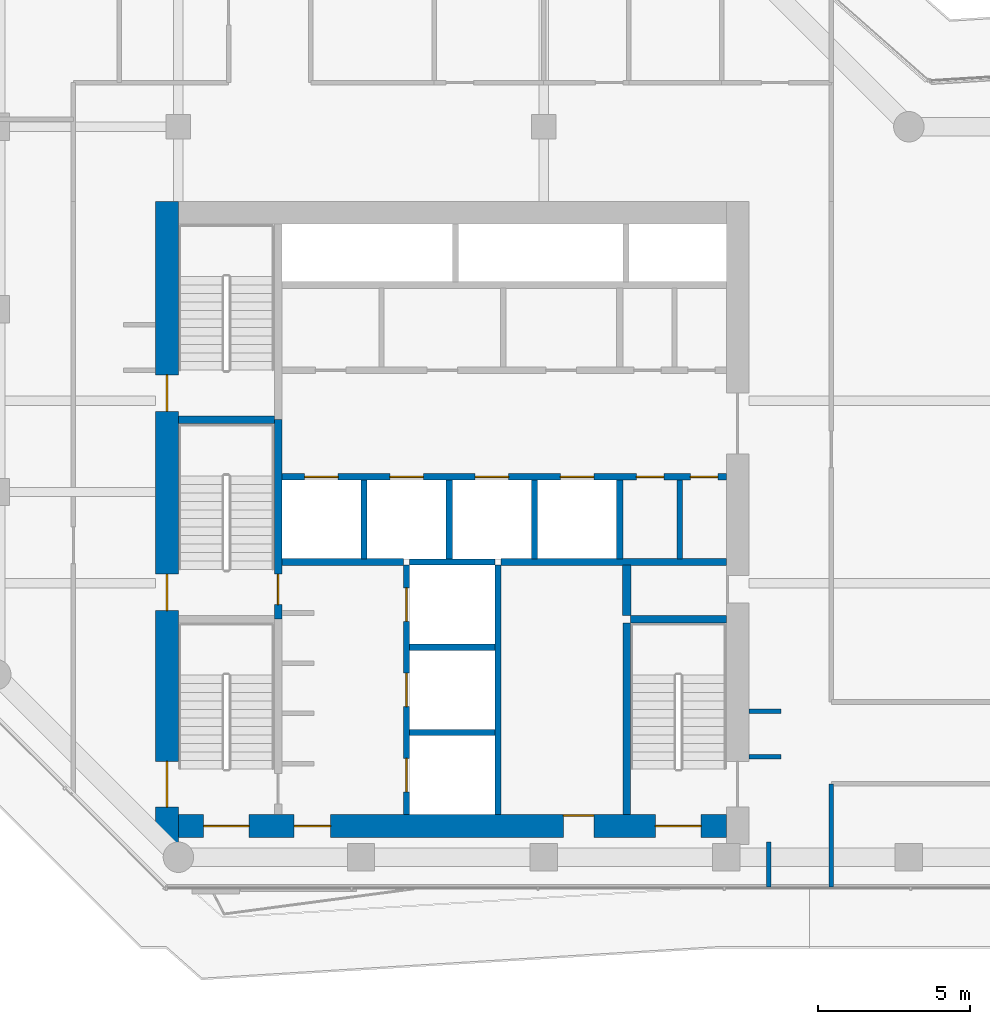
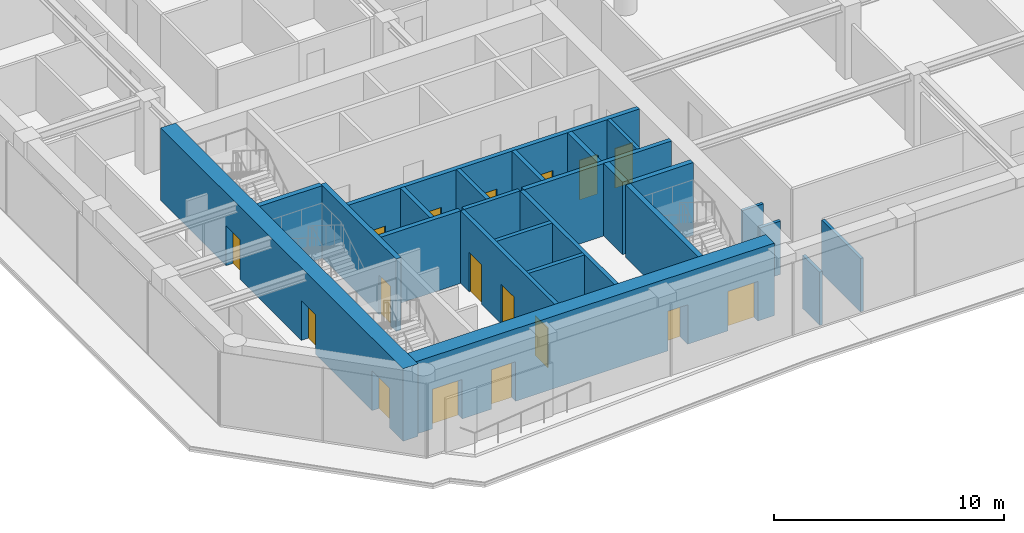
# One storey, part 18 of 23: 24 walls, 17 doors, 17 openings.
"""IFC4 building model written with IfcOpenShell, lengths in metres."""

import ifcopenshell
import ifcopenshell.guid

model = None  # the IFC model being written
_history = None  # IfcOwnerHistory: only IFC2X3 demands one
_inside = {}  # id of a spatial element -> (the spatial element, [elements in it])
_under = {}  # id of a project, library or spatial element -> (it, [spatial elements below it])
_declared = {}  # id of a project -> (the project, [libraries it declares])
_typed = {}  # id of a type object -> (the type object, [elements of that type])
_made_of = {}  # id of a material, layer set ... -> (it, [elements and type objects made of it])


def new_model(schema):
    """Start an empty IFC model of exactly this schema.

    Asked for "IFC4X3", IfcOpenShell would pick the latest addendum, in which some entities
    have other attributes; the version numbers below select the first issue.
    IFC2X3 requires an IfcOwnerHistory on every rooted entity: one is made here for all.
    """
    global model, _history
    if schema == "IFC4X3":
        model = ifcopenshell.file(schema_version=(4, 3, 0, 0))
    else:
        model = ifcopenshell.file(schema=schema)
    _inside.clear()
    _under.clear()
    _declared.clear()
    _typed.clear()
    _made_of.clear()
    _history = None
    if model.schema == "IFC2X3":
        org = make("IfcOrganization", Name="unknown")
        user = make(
            "IfcPersonAndOrganization",
            ThePerson=make("IfcPerson", FamilyName="unknown"),
            TheOrganization=org,
        )
        app = make(
            "IfcApplication",
            ApplicationDeveloper=org,
            Version="unknown",
            ApplicationFullName="unknown",
            ApplicationIdentifier="unknown",
        )
        _history = make(
            "IfcOwnerHistory",
            OwningUser=user,
            OwningApplication=app,
            ChangeAction="ADDED",
            CreationDate=0,
        )
    return model


def make(cls, **values):
    """One entity of the class cls with the attributes given. An attribute that is None is left unset."""
    return model.create_entity(
        cls, **{name: value for name, value in values.items() if value is not None}
    )


def rooted(cls, **values):
    """An entity with a GlobalId (a new one), such as an element, a storey or a relation."""
    return make(cls, GlobalId=ifcopenshell.guid.new(), OwnerHistory=_history, **values)


def si_unit(unit_type, name, prefix=None):
    """IfcSIUnit, for example si_unit("LENGTHUNIT", "METRE", prefix="MILLI")."""
    return make("IfcSIUnit", UnitType=unit_type, Prefix=prefix, Name=name)


def assignment(units):
    """IfcUnitAssignment: the units of a project."""
    return None if units is None else make("IfcUnitAssignment", Units=units)


def point(xyz):
    """IfcCartesianPoint."""
    return None if xyz is None else make("IfcCartesianPoint", Coordinates=xyz)


def direction(xyz):
    """IfcDirection."""
    return None if xyz is None else make("IfcDirection", DirectionRatios=xyz)


def frame(location, z_axis=None, x_axis=None):
    """IfcAxis2Placement3D, a coordinate frame: its origin and axes. An axis left out is left unset."""
    return make(
        "IfcAxis2Placement3D",
        Location=point(location),
        Axis=direction(z_axis),
        RefDirection=direction(x_axis),
    )


def frame_2d(location, x_axis=None):
    """IfcAxis2Placement2D, a coordinate frame in the plane: its origin and x axis."""
    return make(
        "IfcAxis2Placement2D", Location=point(location), RefDirection=direction(x_axis)
    )


def origin():
    """The frame at (0, 0, 0) with its axes left unset."""
    return frame((0.0, 0.0, 0.0))


def place(relative_to, where):
    """IfcLocalPlacement: puts the frame where relative to a parent placement (None: the world)."""
    return make(
        "IfcLocalPlacement", PlacementRelTo=relative_to, RelativePlacement=where
    )


def context(
    kind, dimensions, precision=None, world=None, true_north=None, identifier=None
):
    """IfcGeometricRepresentationContext, for example the 3D "Model" context."""
    return make(
        "IfcGeometricRepresentationContext",
        ContextIdentifier=identifier,
        ContextType=kind,
        CoordinateSpaceDimension=dimensions,
        Precision=precision,
        WorldCoordinateSystem=world,
        TrueNorth=true_north,
    )


def subcontext(parent, identifier, kind, view, scale=None):
    """IfcGeometricRepresentationSubContext, for example "Body" below "Model"."""
    return make(
        "IfcGeometricRepresentationSubContext",
        ContextIdentifier=identifier,
        ContextType=kind,
        ParentContext=parent,
        TargetScale=scale,
        TargetView=view,
    )


def project(units=None, contexts=None):
    """IfcProject with its units and contexts."""
    return rooted(
        "IfcProject",
        Name="project",
        RepresentationContexts=contexts,
        UnitsInContext=assignment(units),
    )


def spatial(cls, under=None, at=None, **own):
    """A site, building, storey or space (cls), placed at a placement, below another one or the project."""
    s = rooted(cls, ObjectPlacement=at, **own)
    if under is not None:
        _under.setdefault(under.id(), (under, []))[1].append(s)
    return s


def profile(cls, at=None, kind="AREA", **sizes):
    """A parametric profile (cls). Its sizes go by their IFC names, for example OverallWidth=200.0."""
    return make(cls, ProfileType=kind, Position=at, **sizes)


def rectangle(**sizes):
    """IfcRectangleProfileDef."""
    return profile("IfcRectangleProfileDef", **sizes)


def extrude(swept, where, along, depth):
    """IfcExtrudedAreaSolid: the profile swept, set in the frame where, extruded along a direction by depth."""
    return make(
        "IfcExtrudedAreaSolid",
        SweptArea=swept,
        Position=where,
        ExtrudedDirection=direction(along),
        Depth=depth,
    )


def shape(context_of_items, identifier, shape_type, items):
    """IfcShapeRepresentation: the items that make up one representation, for example the "Body"."""
    return make(
        "IfcShapeRepresentation",
        ContextOfItems=context_of_items,
        RepresentationIdentifier=identifier,
        RepresentationType=shape_type,
        Items=items,
    )


def material(Name=None, Category=None):
    """IfcMaterial."""
    return make("IfcMaterial", Name=Name, Category=Category)


def layer(
    of_material, thickness, ventilated=None, Name=None, Category=None, Priority=None
):
    """IfcMaterialLayer: one layer of a wall or slab, of a material (None: an air gap)."""
    return make(
        "IfcMaterialLayer",
        Material=of_material,
        LayerThickness=thickness,
        IsVentilated=ventilated,
        Name=Name,
        Category=Category,
        Priority=Priority,
    )


def layer_set(layers, Name=None):
    """IfcMaterialLayerSet."""
    return make("IfcMaterialLayerSet", MaterialLayers=layers, LayerSetName=Name)


def made_of(thing, what):
    """Note that an element or type object is made of a material, layer set ...; save() writes the relation."""
    if what is not None:
        _made_of.setdefault(what.id(), (what, []))[1].append(thing)
    return thing


def type_object(cls, material=None, **own):
    """A type object (cls), such as IfcWallType, which elements share."""
    return made_of(rooted(cls, **own), material)


def element(
    cls,
    number,
    at=None,
    inside=None,
    cuts=None,
    type_object=None,
    material=None,
    context=None,
    identifier="Body",
    shape_type=None,
    held_by="IfcProductDefinitionShape",
    body=None,
    shapes=None,
    **own,
):
    """One element of the class cls, such as IfcWall. Its Tag is "e" and its number.

    at: its placement. inside: the storey or other place that contains it. cuts: it is an
    opening in that element (IfcRelVoidsElement). A single representation is given by context,
    identifier, shape_type and body (its items); several are given by shapes. held_by: the class
    of the entity that holds the representations. save() writes the other relations.
    """
    e = rooted(cls, Tag="e%d" % number, ObjectPlacement=at, **own)
    if body is not None:
        shapes = [shape(context, identifier, shape_type, body)]
    if shapes is not None:
        e.Representation = make(held_by, Representations=shapes)
    if inside is not None:
        _inside.setdefault(inside.id(), (inside, []))[1].append(e)
    if cuts is not None:
        rooted(
            "IfcRelVoidsElement", RelatingBuildingElement=cuts, RelatedOpeningElement=e
        )
    if type_object is not None:
        _typed.setdefault(type_object.id(), (type_object, []))[1].append(e)
    return made_of(e, material)


def fill(opening, filler):
    """IfcRelFillsElement: the door or window that sits in an opening."""
    return rooted(
        "IfcRelFillsElement",
        RelatingOpeningElement=opening,
        RelatedBuildingElement=filler,
    )


def aggregate(whole, parts):
    """IfcRelAggregates: a whole, such as a stair, and the parts it consists of."""
    return rooted("IfcRelAggregates", RelatingObject=whole, RelatedObjects=parts)


def save(model, path):
    """Write the relations noted so far, then the file.

    IfcRelAggregates (storeys below a building ...), IfcRelContainedInSpatialStructure (elements
    in a storey), IfcRelDefinesByType, IfcRelAssociatesMaterial and IfcRelDeclares: one each for
    every whole, place, type object, material and project.
    """
    for whole, parts in _under.values():
        aggregate(whole, parts)
    for where, things in _inside.values():
        rooted(
            "IfcRelContainedInSpatialStructure",
            RelatedElements=things,
            RelatingStructure=where,
        )
    for kind, things in _typed.values():
        rooted("IfcRelDefinesByType", RelatedObjects=things, RelatingType=kind)
    for what, things in _made_of.values():
        rooted("IfcRelAssociatesMaterial", RelatedObjects=things, RelatingMaterial=what)
    for by, libraries in _declared.values():
        rooted("IfcRelDeclares", RelatingContext=by, RelatedDefinitions=libraries)
    model.write(path)


model = new_model("IFC4")

# Units and contexts
model_context = context("Model", 3, precision=1e-05, world=origin(), true_north=direction((0.0, 1.0)))
body_context = subcontext(model_context, "Body", "Model", "MODEL_VIEW")
ifc_project = project(units=[si_unit("LENGTHUNIT", "METRE"), si_unit("AREAUNIT", "SQUARE_METRE"), si_unit("VOLUMEUNIT", "CUBIC_METRE"), si_unit("PLANEANGLEUNIT", "RADIAN"), si_unit("MASSUNIT", "GRAM", prefix="KILO")], contexts=[model_context])

# Site, building, storey
site_placement = place(None, origin())
site = spatial("IfcSite", under=ifc_project, at=site_placement, CompositionType="ELEMENT")
building_placement = place(site_placement, origin())
building = spatial("IfcBuilding", under=site, at=building_placement, Name="Welwitschia Terrace Campus", CompositionType="ELEMENT")
storey_placement = place(building_placement, frame((0.0, 0.0, 96.199951171875)))
storey = spatial("IfcBuildingStorey", under=building, at=storey_placement, Name="L21", CompositionType="ELEMENT", Elevation=96.199951171875)

# Walls
ifc_material_1 = material(Name="Concrete C32/40", Category="concrete")
ifc_layer_1 = layer(ifc_material_1, 0.175048828125)
ifc_layer_set_1 = layer_set([ifc_layer_1], Name="Concrete C32/40")
wall_type_1 = type_object("IfcWallType", Name="Core partition 175 Concrete C32/40", PredefinedType="PARTITIONING", material=ifc_layer_set_1)
wall_1_placement = place(storey_placement, frame((22.469970703125, 13.800048828125, 0.0), z_axis=(0.0, 0.0, 1.0), x_axis=(0.0, 1.0, 0.0)))
element("IfcWall", 1, at=wall_1_placement, inside=storey, type_object=wall_type_1, Name="Core partition", PredefinedType="PARTITIONING", context=body_context, shape_type="SweptSolid", body=[
    extrude(rectangle(XDim=2.599853515625, YDim=0.175048828125, at=frame_2d((1.2998046875, 0.0))), origin(), (0.0, 0.0, 1.0), 3.85009765625),
])
ifc_material_2 = material(Name="Concrete C32/40", Category="concrete")
ifc_layer_2 = layer(ifc_material_2, 0.22509765625)
ifc_layer_set_2 = layer_set([ifc_layer_2], Name="Concrete C32/40")
wall_type_2 = type_object("IfcWallType", Name="Core partition 225 Concrete C32/40", PredefinedType="PARTITIONING", material=ifc_layer_set_2)
wall_2_placement = place(storey_placement, frame((9.39990234375, 13.699951171875, 0.0), z_axis=(0.0, 0.0, 1.0), x_axis=(1.0, 0.0, 0.0)))
element("IfcWall", 2, at=wall_2_placement, inside=storey, type_object=wall_type_2, Name="Shaft wall", PredefinedType="PARTITIONING", context=body_context, shape_type="SweptSolid", body=[
    extrude(rectangle(XDim=4.0, YDim=0.22509765625, at=frame_2d((2.0, 0.0))), origin(), (0.0, 0.0, 1.0), 3.85009765625),
])
wall_3_placement = place(storey_placement, frame((16.60009765625, 13.699951171875, 0.0), z_axis=(0.0, 0.0, 1.0), x_axis=(1.0, 0.0, 0.0)))
element("IfcWall", 3, at=wall_3_placement, inside=storey, type_object=wall_type_2, Name="Shaft wall", PredefinedType="PARTITIONING", context=body_context, shape_type="SweptSolid", body=[
    extrude(rectangle(XDim=7.39990234375, YDim=0.22509765625, at=frame_2d((3.699951171875, 0.0))), origin(), (0.0, 0.0, 1.0), 3.85009765625),
])

# Wall, openings, doors
wall_4_placement = place(storey_placement, frame((9.39990234375, 16.5, 0.0), z_axis=(0.0, 0.0, 1.0), x_axis=(1.0, 0.0, 0.0)))
wall_4 = element("IfcWall", 4, at=wall_4_placement, inside=storey, type_object=wall_type_2, Name="Shaft wall", PredefinedType="PARTITIONING", context=body_context, shape_type="SweptSolid", body=[
    extrude(rectangle(XDim=14.60009765625, YDim=0.22509765625, at=frame_2d((7.300048828125, 0.0))), origin(), (0.0, 0.0, 1.0), 3.85009765625),
])
opening_1_placement = place(wall_4_placement, frame((0.75, 0.0, 0.0)))
opening_1 = element("IfcOpeningElement", 5, at=opening_1_placement, cuts=wall_4, Name="Opening LD", PredefinedType="OPENING", context=body_context, shape_type="SweptSolid", body=[
    extrude(rectangle(XDim=1.10009765625, YDim=2.10009765625, at=frame_2d((0.550048828125, 1.050048828125))), frame((0.0, 0.12255859375, 0.0), z_axis=(0.0, -1.0, 0.0), x_axis=(1.0, 0.0, 0.0)), (0.0, 0.0, 1.0), 0.2451171875),
])
opening_2_placement = place(wall_4_placement, frame((3.550048828125, 0.0, 0.0)))
opening_2 = element("IfcOpeningElement", 6, at=opening_2_placement, cuts=wall_4, Name="Opening LD", PredefinedType="OPENING", context=body_context, shape_type="SweptSolid", body=[
    extrude(rectangle(XDim=1.10009765625, YDim=2.10009765625, at=frame_2d((0.550048828125, 1.050048828125))), frame((0.0, 0.12255859375, 0.0), z_axis=(0.0, -1.0, 0.0), x_axis=(1.0, 0.0, 0.0)), (0.0, 0.0, 1.0), 0.2451171875),
])
opening_3_placement = place(wall_4_placement, frame((6.35009765625, 0.0, 0.0)))
opening_3 = element("IfcOpeningElement", 7, at=opening_3_placement, cuts=wall_4, Name="Opening LD", PredefinedType="OPENING", context=body_context, shape_type="SweptSolid", body=[
    extrude(rectangle(XDim=1.10009765625, YDim=2.10009765625, at=frame_2d((0.550048828125, 1.050048828125))), frame((0.0, 0.12255859375, 0.0), z_axis=(0.0, -1.0, 0.0), x_axis=(1.0, 0.0, 0.0)), (0.0, 0.0, 1.0), 0.2451171875),
])
opening_4_placement = place(wall_4_placement, frame((9.14990234375, 0.0, 0.0)))
opening_4 = element("IfcOpeningElement", 8, at=opening_4_placement, cuts=wall_4, Name="Opening LD", PredefinedType="OPENING", context=body_context, shape_type="SweptSolid", body=[
    extrude(rectangle(XDim=1.10009765625, YDim=2.10009765625, at=frame_2d((0.550048828125, 1.050048828125))), frame((0.0, 0.12255859375, 0.0), z_axis=(0.0, -1.0, 0.0), x_axis=(1.0, 0.0, 0.0)), (0.0, 0.0, 1.0), 0.2451171875),
])
opening_5_placement = place(wall_4_placement, frame((11.6474609375, 0.0, 0.0)))
opening_5 = element("IfcOpeningElement", 9, at=opening_5_placement, cuts=wall_4, Name="Opening DR09", PredefinedType="OPENING", context=body_context, shape_type="SweptSolid", body=[
    extrude(rectangle(XDim=0.89990234375, YDim=2.10009765625, at=frame_2d((0.449951171875, 1.050048828125))), frame((0.0, 0.12255859375, 0.0), z_axis=(0.0, -1.0, 0.0), x_axis=(1.0, 0.0, 0.0)), (0.0, 0.0, 1.0), 0.2451171875),
])
opening_6_placement = place(wall_4_placement, frame((13.422607421875, 0.0, 0.0)))
opening_6 = element("IfcOpeningElement", 10, at=opening_6_placement, cuts=wall_4, Name="Opening DR09", PredefinedType="OPENING", context=body_context, shape_type="SweptSolid", body=[
    extrude(rectangle(XDim=0.89990234375, YDim=2.10009765625, at=frame_2d((0.449951171875, 1.050048828125))), frame((0.0, 0.12255859375, 0.0), z_axis=(0.0, -1.0, 0.0), x_axis=(1.0, 0.0, 0.0)), (0.0, 0.0, 1.0), 0.2451171875),
])
ifc_material_3 = material(Name="Steel S275", Category="steel")
door_type_1 = type_object("IfcDoorType", Name="Core door DR09", OperationType="SINGLE_SWING_LEFT", PredefinedType="DOOR", material=ifc_material_3)
door_1_placement = place(opening_5_placement, origin())
door_1 = element("IfcDoor", 11, at=door_1_placement, inside=storey, type_object=door_type_1, Name="Door EL1-D", OperationType="SINGLE_SWING_RIGHT", OverallHeight=2.10009765625, OverallWidth=0.89990234375, PredefinedType="DOOR", context=body_context, shape_type="SweptSolid", body=[
    extrude(rectangle(XDim=0.89990234375, YDim=2.10009765625, at=frame_2d((0.449951171875, 1.050048828125))), frame((0.0, 0.02490234375, 0.0), z_axis=(0.0, -1.0, 0.0), x_axis=(1.0, 0.0, 0.0)), (0.0, 0.0, 1.0), 0.050048828125),
])
fill(opening_5, door_1)
door_2_placement = place(opening_6_placement, origin())
door_2 = element("IfcDoor", 12, at=door_2_placement, inside=storey, type_object=door_type_1, Name="Door EL2-D", OperationType="SINGLE_SWING_RIGHT", OverallHeight=2.10009765625, OverallWidth=0.89990234375, PredefinedType="DOOR", context=body_context, shape_type="SweptSolid", body=[
    extrude(rectangle(XDim=0.89990234375, YDim=2.10009765625, at=frame_2d((0.449951171875, 1.050048828125))), frame((0.0, 0.02490234375, 0.0), z_axis=(0.0, -1.0, 0.0), x_axis=(1.0, 0.0, 0.0)), (0.0, 0.0, 1.0), 0.050048828125),
])
fill(opening_6, door_2)
ifc_material_4 = material(Name="Stainless steel 304", Category="steel")
door_type_2 = type_object("IfcDoorType", Name="Lift landing door", OperationType="DOUBLE_DOOR_SLIDING", PredefinedType="DOOR", material=ifc_material_4)
door_3_placement = place(opening_1_placement, origin())
door_3 = element("IfcDoor", 13, at=door_3_placement, inside=storey, type_object=door_type_2, Name="Landing door LR1", OperationType="DOUBLE_DOOR_SLIDING", OverallHeight=2.10009765625, OverallWidth=1.10009765625, PredefinedType="DOOR", context=body_context, shape_type="SweptSolid", body=[
    extrude(rectangle(XDim=1.10009765625, YDim=2.10009765625, at=frame_2d((0.550048828125, 1.050048828125))), frame((0.0, 0.02490234375, 0.0), z_axis=(0.0, -1.0, 0.0), x_axis=(1.0, 0.0, 0.0)), (0.0, 0.0, 1.0), 0.050048828125),
])
fill(opening_1, door_3)
door_4_placement = place(opening_2_placement, origin())
door_4 = element("IfcDoor", 14, at=door_4_placement, inside=storey, type_object=door_type_2, Name="Landing door LR2", OperationType="DOUBLE_DOOR_SLIDING", OverallHeight=2.10009765625, OverallWidth=1.10009765625, PredefinedType="DOOR", context=body_context, shape_type="SweptSolid", body=[
    extrude(rectangle(XDim=1.10009765625, YDim=2.10009765625, at=frame_2d((0.550048828125, 1.050048828125))), frame((0.0, 0.02490234375, 0.0), z_axis=(0.0, -1.0, 0.0), x_axis=(1.0, 0.0, 0.0)), (0.0, 0.0, 1.0), 0.050048828125),
])
fill(opening_2, door_4)
door_5_placement = place(opening_3_placement, origin())
door_5 = element("IfcDoor", 15, at=door_5_placement, inside=storey, type_object=door_type_2, Name="Landing door LR3", OperationType="DOUBLE_DOOR_SLIDING", OverallHeight=2.10009765625, OverallWidth=1.10009765625, PredefinedType="DOOR", context=body_context, shape_type="SweptSolid", body=[
    extrude(rectangle(XDim=1.10009765625, YDim=2.10009765625, at=frame_2d((0.550048828125, 1.050048828125))), frame((0.0, 0.02490234375, 0.0), z_axis=(0.0, -1.0, 0.0), x_axis=(1.0, 0.0, 0.0)), (0.0, 0.0, 1.0), 0.050048828125),
])
fill(opening_3, door_5)
door_6_placement = place(opening_4_placement, origin())
door_6 = element("IfcDoor", 16, at=door_6_placement, inside=storey, type_object=door_type_2, Name="Landing door LR4", OperationType="DOUBLE_DOOR_SLIDING", OverallHeight=2.10009765625, OverallWidth=1.10009765625, PredefinedType="DOOR", context=body_context, shape_type="SweptSolid", body=[
    extrude(rectangle(XDim=1.10009765625, YDim=2.10009765625, at=frame_2d((0.550048828125, 1.050048828125))), frame((0.0, 0.02490234375, 0.0), z_axis=(0.0, -1.0, 0.0), x_axis=(1.0, 0.0, 0.0)), (0.0, 0.0, 1.0), 0.050048828125),
])
fill(opening_4, door_6)

# Walls
wall_5_placement = place(storey_placement, frame((20.5, 13.800048828125, 0.0), z_axis=(0.0, 0.0, 1.0), x_axis=(0.0, 1.0, 0.0)))
element("IfcWall", 17, at=wall_5_placement, inside=storey, type_object=wall_type_2, Name="Shaft wall", PredefinedType="PARTITIONING", context=body_context, shape_type="SweptSolid", body=[
    extrude(rectangle(XDim=2.599853515625, YDim=0.22509765625, at=frame_2d((1.2998046875, 0.0))), origin(), (0.0, 0.0, 1.0), 3.85009765625),
])
ifc_material_5 = material(Name="Concrete C32/40", Category="concrete")
ifc_layer_3 = layer(ifc_material_5, 0.27490234375)
ifc_layer_set_3 = layer_set([ifc_layer_3], Name="Concrete C32/40")
wall_type_3 = type_object("IfcWallType", Name="Core partition 275 Concrete C32/40", PredefinedType="PARTITIONING", material=ifc_layer_set_3)
wall_6_placement = place(storey_placement, frame((20.72509765625, 11.949951171875, 0.0), z_axis=(0.0, 0.0, 1.0), x_axis=(0.0, 1.0, 0.0)))
element("IfcWall", 18, at=wall_6_placement, inside=storey, type_object=wall_type_3, Name="Core partition", PredefinedType="PARTITIONING", context=body_context, shape_type="SweptSolid", body=[
    extrude(rectangle(XDim=1.650146484375, YDim=0.27490234375, at=frame_2d((0.8251953125, 0.0))), origin(), (0.0, 0.0, 1.0), 3.85009765625),
])
ifc_material_6 = material(Name="Concrete C50/60", Category="concrete")
ifc_layer_4 = layer(ifc_material_6, 0.199951171875)
ifc_layer_set_4 = layer_set([ifc_layer_4], Name="Concrete C50/60")
wall_type_4 = type_object("IfcWallType", Name="Core wall 200 Concrete C50/60", PredefinedType="SHEAR", material=ifc_layer_set_4)
for number, where, z_axis, x_axis, name in (
    (19, (13.60009765625, 8.10009765625, 0.0), (0.0, 0.0, 1.0), (1.0, 0.0, 0.0), "Core wall"),
    (20, (13.60009765625, 10.89990234375, 0.0), (0.0, 0.0, 1.0), (1.0, 0.0, 0.0), "Core wall"),
    (21, (13.60009765625, 13.699951171875, 0.0), (0.0, 0.0, 1.0), (1.0, 0.0, 0.0), "Core wall"),
):
    element("IfcWall", number, at=place(storey_placement, frame(where, z_axis=z_axis, x_axis=x_axis)), inside=storey, type_object=wall_type_4, Name=name, PredefinedType="SHEAR", context=body_context, shape_type="SweptSolid", body=[
        extrude(rectangle(XDim=2.7998046875, YDim=0.199951171875, at=frame_2d((1.39990234375, 0.0))), origin(), (0.0, 0.0, 1.0), 3.85009765625),
    ])

# Wall, openings, doors
wall_7_placement = place(storey_placement, frame((13.5, 5.39990234375, 0.0), z_axis=(0.0, 0.0, 1.0), x_axis=(0.0, 1.0, 0.0)))
wall_7 = element("IfcWall", 22, at=wall_7_placement, inside=storey, type_object=wall_type_4, Name="Core wall", PredefinedType="SHEAR", context=body_context, shape_type="SweptSolid", body=[
    extrude(rectangle(XDim=8.2001953125, YDim=0.199951171875, at=frame_2d((4.10009765625, 0.0))), origin(), (0.0, 0.0, 1.0), 3.85009765625),
])
opening_7_placement = place(wall_7_placement, frame((0.75, 0.0, 0.0)))
opening_7 = element("IfcOpeningElement", 23, at=opening_7_placement, cuts=wall_7, Name="Opening LD", PredefinedType="OPENING", context=body_context, shape_type="SweptSolid", body=[
    extrude(rectangle(XDim=1.10009765625, YDim=2.10009765625, at=frame_2d((0.550048828125, 1.050048828125))), frame((0.0, 0.10986328125, 0.0), z_axis=(0.0, -1.0, 0.0), x_axis=(1.0, 0.0, 0.0)), (0.0, 0.0, 1.0), 0.219970703125),
])
opening_8_placement = place(wall_7_placement, frame((3.550048828125, 0.0, 0.0)))
opening_8 = element("IfcOpeningElement", 24, at=opening_8_placement, cuts=wall_7, Name="Opening LD", PredefinedType="OPENING", context=body_context, shape_type="SweptSolid", body=[
    extrude(rectangle(XDim=1.10009765625, YDim=2.10009765625, at=frame_2d((0.550048828125, 1.050048828125))), frame((0.0, 0.10986328125, 0.0), z_axis=(0.0, -1.0, 0.0), x_axis=(1.0, 0.0, 0.0)), (0.0, 0.0, 1.0), 0.219970703125),
])
opening_9_placement = place(wall_7_placement, frame((6.35009765625, 0.0, 0.0)))
opening_9 = element("IfcOpeningElement", 25, at=opening_9_placement, cuts=wall_7, Name="Opening LD", PredefinedType="OPENING", context=body_context, shape_type="SweptSolid", body=[
    extrude(rectangle(XDim=1.10009765625, YDim=2.10009765625, at=frame_2d((0.550048828125, 1.050048828125))), frame((0.0, 0.10986328125, 0.0), z_axis=(0.0, -1.0, 0.0), x_axis=(1.0, 0.0, 0.0)), (0.0, 0.0, 1.0), 0.219970703125),
])
door_7_placement = place(opening_7_placement, origin())
door_7 = element("IfcDoor", 26, at=door_7_placement, inside=storey, type_object=door_type_2, Name="Landing door FF1", OperationType="DOUBLE_DOOR_SLIDING", OverallHeight=2.10009765625, OverallWidth=1.10009765625, PredefinedType="DOOR", context=body_context, shape_type="SweptSolid", body=[
    extrude(rectangle(XDim=1.10009765625, YDim=2.10009765625, at=frame_2d((0.550048828125, 1.050048828125))), frame((0.0, 0.02490234375, 0.0), z_axis=(0.0, -1.0, 0.0), x_axis=(1.0, 0.0, 0.0)), (0.0, 0.0, 1.0), 0.050048828125),
])
fill(opening_7, door_7)
door_8_placement = place(opening_8_placement, origin())
door_8 = element("IfcDoor", 27, at=door_8_placement, inside=storey, type_object=door_type_2, Name="Landing door FF2", OperationType="DOUBLE_DOOR_SLIDING", OverallHeight=2.10009765625, OverallWidth=1.10009765625, PredefinedType="DOOR", context=body_context, shape_type="SweptSolid", body=[
    extrude(rectangle(XDim=1.10009765625, YDim=2.10009765625, at=frame_2d((0.550048828125, 1.050048828125))), frame((0.0, 0.02490234375, 0.0), z_axis=(0.0, -1.0, 0.0), x_axis=(1.0, 0.0, 0.0)), (0.0, 0.0, 1.0), 0.050048828125),
])
fill(opening_8, door_8)
door_9_placement = place(opening_9_placement, origin())
door_9 = element("IfcDoor", 28, at=door_9_placement, inside=storey, type_object=door_type_2, Name="Landing door SV1", OperationType="DOUBLE_DOOR_SLIDING", OverallHeight=2.10009765625, OverallWidth=1.10009765625, PredefinedType="DOOR", context=body_context, shape_type="SweptSolid", body=[
    extrude(rectangle(XDim=1.10009765625, YDim=2.10009765625, at=frame_2d((0.550048828125, 1.050048828125))), frame((0.0, 0.02490234375, 0.0), z_axis=(0.0, -1.0, 0.0), x_axis=(1.0, 0.0, 0.0)), (0.0, 0.0, 1.0), 0.050048828125),
])
fill(opening_9, door_9)

# Walls
wall_8_placement = place(storey_placement, frame((16.5, 5.39990234375, 0.0), z_axis=(0.0, 0.0, 1.0), x_axis=(0.0, 1.0, 0.0)))
element("IfcWall", 29, at=wall_8_placement, inside=storey, type_object=wall_type_4, Name="Core wall", PredefinedType="SHEAR", context=body_context, shape_type="SweptSolid", body=[
    extrude(rectangle(XDim=8.2001953125, YDim=0.199951171875, at=frame_2d((4.10009765625, 0.0))), origin(), (0.0, 0.0, 1.0), 3.85009765625),
])
ifc_material_7 = material(Name="Concrete C50/60", Category="concrete")
ifc_layer_5 = layer(ifc_material_7, 0.25)
ifc_layer_set_5 = layer_set([ifc_layer_5], Name="Concrete C50/60")
wall_type_5 = type_object("IfcWallType", Name="Core wall 250 Concrete C50/60", PredefinedType="SHEAR", material=ifc_layer_set_5)
for number, where, z_axis, x_axis, name in (
    (30, (20.85009765625, 11.824951171875, 0.0), (0.0, 0.0, 1.0), (1.0, 0.0, 0.0), "Core wall"),
    (31, (6.0, 18.375, 0.0), (0.0, 0.0, 1.0), (1.0, 0.0, 0.0), "Core wall"),
):
    element("IfcWall", number, at=place(storey_placement, frame(where, z_axis=z_axis, x_axis=x_axis)), inside=storey, type_object=wall_type_5, Name=name, PredefinedType="SHEAR", context=body_context, shape_type="SweptSolid", body=[
        extrude(rectangle(XDim=3.14990234375, YDim=0.25, at=frame_2d((1.574951171875, 0.0))), origin(), (0.0, 0.0, 1.0), 3.85009765625),
    ])

# Wall, opening, door
wall_9_placement = place(storey_placement, frame((9.27490234375, 18.375, 0.0), z_axis=(0.0, 0.0, 1.0), x_axis=(0.0, -1.0, 0.0)))
wall_9 = element("IfcWall", 32, at=wall_9_placement, inside=storey, type_object=wall_type_5, Name="Core wall", PredefinedType="SHEAR", context=body_context, shape_type="SweptSolid", body=[
    extrude(rectangle(XDim=6.550048828125, YDim=0.25, at=frame_2d((3.27490234375, 0.0))), origin(), (0.0, 0.0, 1.0), 3.85009765625),
])
opening_10_placement = place(wall_9_placement, frame((5.074951171875, 0.0, 0.0)))
opening_10 = element("IfcOpeningElement", 33, at=opening_10_placement, cuts=wall_9, Name="Opening DS10", PredefinedType="OPENING", context=body_context, shape_type="SweptSolid", body=[
    extrude(rectangle(XDim=1.0, YDim=2.10009765625, at=frame_2d((0.5, 1.050048828125))), frame((0.0, 0.135009765625, 0.0), z_axis=(0.0, -1.0, 0.0), x_axis=(1.0, 0.0, 0.0)), (0.0, 0.0, 1.0), 0.27001953125),
])
ifc_material_8 = material(Name="Steel S275", Category="steel")
door_type_3 = type_object("IfcDoorType", Name="Core door DS10", OperationType="SINGLE_SWING_LEFT", PredefinedType="DOOR", material=ifc_material_8)
door_10_placement = place(opening_10_placement, origin())
door_10 = element("IfcDoor", 34, at=door_10_placement, inside=storey, type_object=door_type_3, Name="Door S3-FL", OperationType="SINGLE_SWING_RIGHT", OverallHeight=2.10009765625, OverallWidth=1.0, PredefinedType="DOOR", context=body_context, shape_type="SweptSolid", body=[
    extrude(rectangle(XDim=1.0, YDim=2.10009765625, at=frame_2d((0.5, 1.050048828125))), frame((0.0, 0.02490234375, 0.0), z_axis=(0.0, -1.0, 0.0), x_axis=(1.0, 0.0, 0.0)), (0.0, 0.0, 1.0), 0.050048828125),
])
fill(opening_10, door_10)

# Wall
wall_10_placement = place(storey_placement, frame((20.72509765625, 5.39990234375, 0.0), z_axis=(0.0, 0.0, 1.0), x_axis=(0.0, 1.0, 0.0)))
element("IfcWall", 35, at=wall_10_placement, inside=storey, type_object=wall_type_5, Name="Core wall", PredefinedType="SHEAR", context=body_context, shape_type="SweptSolid", body=[
    extrude(rectangle(XDim=6.300048828125, YDim=0.25, at=frame_2d((3.14990234375, 0.0))), origin(), (0.0, 0.0, 1.0), 3.85009765625),
])

# Wall, openings, doors
ifc_material_9 = material(Name="Concrete C70/85", Category="concrete")
ifc_layer_6 = layer(ifc_material_9, 0.75)
ifc_layer_set_6 = layer_set([ifc_layer_6], Name="Concrete C70/85")
wall_type_6 = type_object("IfcWallType", Name="Core wall 750 Concrete C70/85", PredefinedType="SHEAR", material=ifc_layer_set_6)
wall_11_placement = place(storey_placement, frame((5.625, 4.469970703125, 0.0), z_axis=(0.0, 0.0, 1.0), x_axis=(0.0, 1.0, 0.0)))
wall_11 = element("IfcWall", 36, at=wall_11_placement, inside=storey, type_object=wall_type_6, Name="Core outer wall", PredefinedType="SHEAR", context=body_context, shape_type="SweptSolid", body=[
    extrude(rectangle(XDim=21.080078125, YDim=0.75, at=frame_2d((10.5400390625, 0.0))), origin(), (0.0, 0.0, 1.0), 3.85009765625),
])
opening_11_placement = place(wall_11_placement, frame((1.179931640625, 0.0, 0.0)))
opening_11 = element("IfcOpeningElement", 37, at=opening_11_placement, cuts=wall_11, Name="Opening DS15", PredefinedType="OPENING", context=body_context, shape_type="SweptSolid", body=[
    extrude(rectangle(XDim=1.5, YDim=2.10009765625, at=frame_2d((0.75, 1.050048828125))), frame((0.0, 0.385009765625, 0.0), z_axis=(0.0, -1.0, 0.0), x_axis=(1.0, 0.0, 0.0)), (0.0, 0.0, 1.0), 0.77001953125),
])
opening_12_placement = place(wall_11_placement, frame((7.6298828125, 0.0, 0.0)))
opening_12 = element("IfcOpeningElement", 38, at=opening_12_placement, cuts=wall_11, Name="Opening DS12", PredefinedType="OPENING", context=body_context, shape_type="SweptSolid", body=[
    extrude(rectangle(XDim=1.199951171875, YDim=2.10009765625, at=frame_2d((0.60009765625, 1.050048828125))), frame((0.0, 0.385009765625, 0.0), z_axis=(0.0, -1.0, 0.0), x_axis=(1.0, 0.0, 0.0)), (0.0, 0.0, 1.0), 0.77001953125),
])
opening_13_placement = place(wall_11_placement, frame((14.179931640625, 0.0, 0.0)))
opening_13 = element("IfcOpeningElement", 39, at=opening_13_placement, cuts=wall_11, Name="Opening DS12", PredefinedType="OPENING", context=body_context, shape_type="SweptSolid", body=[
    extrude(rectangle(XDim=1.199951171875, YDim=2.10009765625, at=frame_2d((0.60009765625, 1.050048828125))), frame((0.0, 0.385009765625, 0.0), z_axis=(0.0, -1.0, 0.0), x_axis=(1.0, 0.0, 0.0)), (0.0, 0.0, 1.0), 0.77001953125),
])
ifc_material_10 = material(Name="Steel S275", Category="steel")
door_type_4 = type_object("IfcDoorType", Name="Core door DS12", OperationType="SINGLE_SWING_LEFT", PredefinedType="DOOR", material=ifc_material_10)
door_11_placement = place(opening_12_placement, origin())
door_11 = element("IfcDoor", 40, at=door_11_placement, inside=storey, type_object=door_type_4, Name="Door S3-out", OperationType="SINGLE_SWING_LEFT", OverallHeight=2.10009765625, OverallWidth=1.199951171875, PredefinedType="DOOR", context=body_context, shape_type="SweptSolid", body=[
    extrude(rectangle(XDim=1.199951171875, YDim=2.10009765625, at=frame_2d((0.60009765625, 1.050048828125))), frame((0.0, 0.02490234375, 0.0), z_axis=(0.0, -1.0, 0.0), x_axis=(1.0, 0.0, 0.0)), (0.0, 0.0, 1.0), 0.050048828125),
])
fill(opening_12, door_11)
door_12_placement = place(opening_13_placement, origin())
door_12 = element("IfcDoor", 41, at=door_12_placement, inside=storey, type_object=door_type_4, Name="Door S4-out", OperationType="SINGLE_SWING_RIGHT", OverallHeight=2.10009765625, OverallWidth=1.199951171875, PredefinedType="DOOR", context=body_context, shape_type="SweptSolid", body=[
    extrude(rectangle(XDim=1.199951171875, YDim=2.10009765625, at=frame_2d((0.60009765625, 1.050048828125))), frame((0.0, 0.02490234375, 0.0), z_axis=(0.0, -1.0, 0.0), x_axis=(1.0, 0.0, 0.0)), (0.0, 0.0, 1.0), 0.050048828125),
])
fill(opening_13, door_12)
ifc_material_11 = material(Name="Steel S275", Category="steel")
door_type_5 = type_object("IfcDoorType", Name="Core door DS15", OperationType="DOUBLE_DOOR_SINGLE_SWING", PredefinedType="DOOR", material=ifc_material_11)
door_13_placement = place(opening_11_placement, origin())
door_13 = element("IfcDoor", 42, at=door_13_placement, inside=storey, type_object=door_type_5, Name="Door S1-out", OperationType="DOUBLE_DOOR_SINGLE_SWING", OverallHeight=2.10009765625, OverallWidth=1.5, PredefinedType="DOOR", context=body_context, shape_type="SweptSolid", body=[
    extrude(rectangle(XDim=1.5, YDim=2.10009765625, at=frame_2d((0.75, 1.050048828125))), frame((0.0, 0.02490234375, 0.0), z_axis=(0.0, -1.0, 0.0), x_axis=(1.0, 0.0, 0.0)), (0.0, 0.0, 1.0), 0.050048828125),
])
fill(opening_11, door_13)

wall_12_placement = place(storey_placement, frame((24.0, 5.02490234375, 0.0), z_axis=(0.0, 0.0, 1.0), x_axis=(-1.0, 0.0, 0.0)))
wall_12 = element("IfcWall", 43, at=wall_12_placement, inside=storey, type_object=wall_type_6, Name="Core outer wall", PredefinedType="SHEAR", context=body_context, shape_type="SweptSolid", body=[
    extrude(rectangle(XDim=18.0, YDim=0.75, at=frame_2d((9.0, 0.0))), origin(), (0.0, 0.0, 1.0), 3.85009765625),
])
opening_14_placement = place(wall_12_placement, frame((0.824951171875, 0.0, 0.0)))
opening_14 = element("IfcOpeningElement", 44, at=opening_14_placement, cuts=wall_12, Name="Opening DS15", PredefinedType="OPENING", context=body_context, shape_type="SweptSolid", body=[
    extrude(rectangle(XDim=1.5, YDim=2.10009765625, at=frame_2d((0.75, 1.050048828125))), frame((0.0, 0.385009765625, 0.0), z_axis=(0.0, -1.0, 0.0), x_axis=(1.0, 0.0, 0.0)), (0.0, 0.0, 1.0), 0.77001953125),
])
opening_15_placement = place(wall_12_placement, frame((15.675048828125, 0.0, 0.0)))
opening_15 = element("IfcOpeningElement", 45, at=opening_15_placement, cuts=wall_12, Name="Opening DS15", PredefinedType="OPENING", context=body_context, shape_type="SweptSolid", body=[
    extrude(rectangle(XDim=1.5, YDim=2.10009765625, at=frame_2d((0.75, 1.050048828125))), frame((0.0, 0.385009765625, 0.0), z_axis=(0.0, -1.0, 0.0), x_axis=(1.0, 0.0, 0.0)), (0.0, 0.0, 1.0), 0.77001953125),
])
opening_16_placement = place(wall_12_placement, frame((13.0, 0.0, 0.0)))
opening_16 = element("IfcOpeningElement", 46, at=opening_16_placement, cuts=wall_12, Name="Opening DF12", PredefinedType="OPENING", context=body_context, shape_type="SweptSolid", body=[
    extrude(rectangle(XDim=1.199951171875, YDim=2.10009765625, at=frame_2d((0.60009765625, 1.050048828125))), frame((0.0, 0.385009765625, 0.0), z_axis=(0.0, -1.0, 0.0), x_axis=(1.0, 0.0, 0.0)), (0.0, 0.0, 1.0), 0.77001953125),
])
opening_17_placement = place(wall_12_placement, frame((4.35009765625, 0.0, 0.0)))
opening_17 = element("IfcOpeningElement", 47, at=opening_17_placement, cuts=wall_12, Name="Opening DR10", PredefinedType="OPENING", context=body_context, shape_type="SweptSolid", body=[
    extrude(rectangle(XDim=1.0, YDim=2.10009765625, at=frame_2d((0.5, 1.050048828125))), frame((0.0, 0.385009765625, 0.0), z_axis=(0.0, -1.0, 0.0), x_axis=(1.0, 0.0, 0.0)), (0.0, 0.0, 1.0), 0.77001953125),
])
ifc_material_12 = material(Name="Steel S275", Category="steel")
door_type_6 = type_object("IfcDoorType", Name="Core door DF12", OperationType="SINGLE_SWING_LEFT", PredefinedType="DOOR", material=ifc_material_12)
door_14_placement = place(opening_16_placement, origin())
door_14 = element("IfcDoor", 48, at=door_14_placement, inside=storey, type_object=door_type_6, Name="Door FL-out", OperationType="SINGLE_SWING_RIGHT", OverallHeight=2.10009765625, OverallWidth=1.199951171875, PredefinedType="DOOR", context=body_context, shape_type="SweptSolid", body=[
    extrude(rectangle(XDim=1.199951171875, YDim=2.10009765625, at=frame_2d((0.60009765625, 1.050048828125))), frame((0.0, 0.02490234375, 0.0), z_axis=(0.0, -1.0, 0.0), x_axis=(1.0, 0.0, 0.0)), (0.0, 0.0, 1.0), 0.050048828125),
])
fill(opening_16, door_14)
ifc_material_13 = material(Name="Steel S275", Category="steel")
door_type_7 = type_object("IfcDoorType", Name="Core door DR10", OperationType="SINGLE_SWING_LEFT", PredefinedType="DOOR", material=ifc_material_13)
door_15_placement = place(opening_17_placement, origin())
door_15 = element("IfcDoor", 49, at=door_15_placement, inside=storey, type_object=door_type_7, Name="Door F1-out", OperationType="SINGLE_SWING_LEFT", OverallHeight=2.10009765625, OverallWidth=1.0, PredefinedType="DOOR", context=body_context, shape_type="SweptSolid", body=[
    extrude(rectangle(XDim=1.0, YDim=2.10009765625, at=frame_2d((0.5, 1.050048828125))), frame((0.0, -0.31494140625, 0.0), z_axis=(0.0, -1.0, 0.0), x_axis=(1.0, 0.0, 0.0)), (0.0, 0.0, 1.0), 0.050048828125),
])
fill(opening_17, door_15)
door_16_placement = place(opening_14_placement, origin())
door_16 = element("IfcDoor", 50, at=door_16_placement, inside=storey, type_object=door_type_5, Name="Door S2-outS", OperationType="DOUBLE_DOOR_SINGLE_SWING", OverallHeight=2.10009765625, OverallWidth=1.5, PredefinedType="DOOR", context=body_context, shape_type="SweptSolid", body=[
    extrude(rectangle(XDim=1.5, YDim=2.10009765625, at=frame_2d((0.75, 1.050048828125))), frame((0.0, 0.02490234375, 0.0), z_axis=(0.0, -1.0, 0.0), x_axis=(1.0, 0.0, 0.0)), (0.0, 0.0, 1.0), 0.050048828125),
])
fill(opening_14, door_16)
door_17_placement = place(opening_15_placement, origin())
door_17 = element("IfcDoor", 51, at=door_17_placement, inside=storey, type_object=door_type_5, Name="Door S1-outS", OperationType="DOUBLE_DOOR_SINGLE_SWING", OverallHeight=2.10009765625, OverallWidth=1.5, PredefinedType="DOOR", context=body_context, shape_type="SweptSolid", body=[
    extrude(rectangle(XDim=1.5, YDim=2.10009765625, at=frame_2d((0.75, 1.050048828125))), frame((0.0, 0.02490234375, 0.0), z_axis=(0.0, -1.0, 0.0), x_axis=(1.0, 0.0, 0.0)), (0.0, 0.0, 1.0), 0.050048828125),
])
fill(opening_15, door_17)

# Walls
ifc_material_14 = material(Name="Gypsum board on steel studs", Category="steel")
ifc_layer_7 = layer(ifc_material_14, 0.14990234375)
ifc_layer_set_7 = layer_set([ifc_layer_7], Name="Gypsum board on steel studs")
wall_type_7 = type_object("IfcWallType", Name="Corridor partition 150 EI 30", PredefinedType="PARTITIONING", material=ifc_layer_set_7)
for number, where, z_axis, x_axis, name in (
    (52, (24.75, 7.300048828125, 0.0), (0.0, 0.0, 1.0), (1.0, 0.0, 0.0), "Partition"),
    (53, (24.75, 8.800048828125, 0.0), (0.0, 0.0, 1.0), (1.0, 0.0, 0.0), "Partition"),
):
    element("IfcWall", number, at=place(storey_placement, frame(where, z_axis=z_axis, x_axis=x_axis)), inside=storey, type_object=wall_type_7, Name=name, PredefinedType="PARTITIONING", context=body_context, shape_type="SweptSolid", body=[
        extrude(rectangle(XDim=1.050048828125, YDim=0.14990234375, at=frame_2d((0.52490234375, 0.0))), origin(), (0.0, 0.0, 1.0), 2.830078125),
    ])
wall_13_placement = place(storey_placement, frame((25.39990234375, 3.02001953125, 0.0), z_axis=(0.0, 0.0, 1.0), x_axis=(0.0, 1.0, 0.0)))
element("IfcWall", 54, at=wall_13_placement, inside=storey, type_object=wall_type_7, Name="Partition", PredefinedType="PARTITIONING", context=body_context, shape_type="SweptSolid", body=[
    extrude(rectangle(XDim=1.47998046875, YDim=0.14990234375, at=frame_2d((0.739990234375, 0.0))), origin(), (0.0, 0.0, 1.0), 2.830078125),
])
wall_14_placement = place(storey_placement, frame((27.449951171875, 3.02001953125, 0.0), z_axis=(0.0, 0.0, 1.0), x_axis=(0.0, 1.0, 0.0)))
element("IfcWall", 55, at=wall_14_placement, inside=storey, type_object=wall_type_7, Name="Partition", PredefinedType="PARTITIONING", context=body_context, shape_type="SweptSolid", body=[
    extrude(rectangle(XDim=3.3798828125, YDim=0.14990234375, at=frame_2d((1.68994140625, 0.0))), origin(), (0.0, 0.0, 1.0), 2.830078125),
])
ifc_material_15 = material(Name="Concrete C32/40", Category="concrete")
ifc_layer_8 = layer(ifc_material_15, 0.199951171875)
ifc_layer_set_8 = layer_set([ifc_layer_8], Name="Concrete C32/40")
wall_type_8 = type_object("IfcWallType", Name="Shaft wall 200 Concrete C32/40", PredefinedType="SOLIDWALL", material=ifc_layer_set_8)
for number, where, z_axis, x_axis, name in (
    (56, (12.10009765625, 13.800048828125, 0.0), (0.0, 0.0, 1.0), (0.0, 1.0, 0.0), "Shaft wall"),
    (57, (14.89990234375, 13.800048828125, 0.0), (0.0, 0.0, 1.0), (0.0, 1.0, 0.0), "Shaft wall"),
    (58, (17.699951171875, 13.800048828125, 0.0), (0.0, 0.0, 1.0), (0.0, 1.0, 0.0), "Shaft wall"),
):
    element("IfcWall", number, at=place(storey_placement, frame(where, z_axis=z_axis, x_axis=x_axis)), inside=storey, type_object=wall_type_8, Name=name, PredefinedType="SOLIDWALL", context=body_context, shape_type="SweptSolid", body=[
        extrude(rectangle(XDim=2.599853515625, YDim=0.199951171875, at=frame_2d((1.2998046875, 0.0))), origin(), (0.0, 0.0, 1.0), 3.85009765625),
    ])

save(model, "model.ifc")
